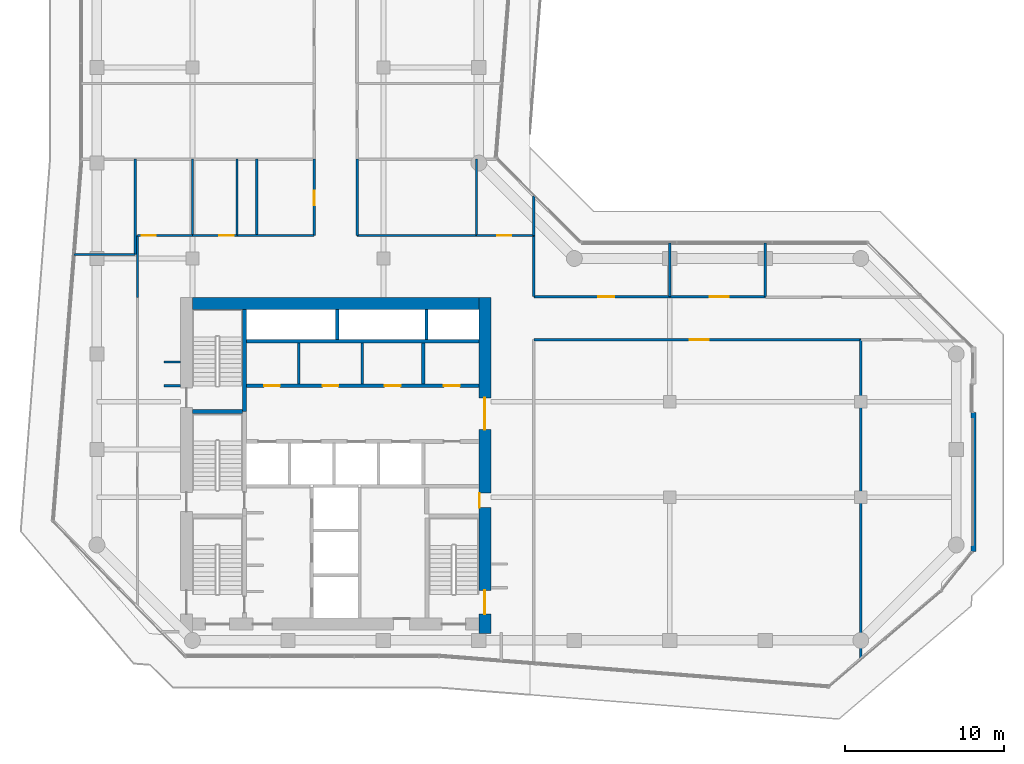
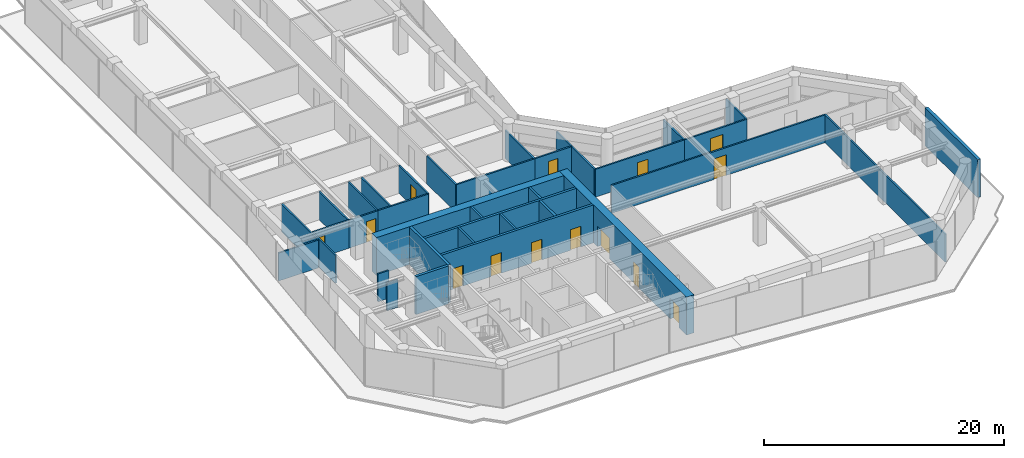
# One storey, part 21 of 24: 36 walls, 14 doors, 14 openings.
"""IFC4 building model written with IfcOpenShell, lengths in metres."""

from ifc_helpers import new_model, si_unit, direction, frame, frame_2d, origin, place, context, subcontext, project, spatial, rectangle, extrude, material, layer, layer_set, type_object, element, fill, save


model = new_model("IFC4")

# Units and contexts
model_context = context("Model", 3, precision=1e-05, world=origin(), true_north=direction((0.0, 1.0)))
body_context = subcontext(model_context, "Body", "Model", "MODEL_VIEW")
ifc_project = project(units=[si_unit("LENGTHUNIT", "METRE"), si_unit("AREAUNIT", "SQUARE_METRE"), si_unit("VOLUMEUNIT", "CUBIC_METRE"), si_unit("PLANEANGLEUNIT", "RADIAN"), si_unit("MASSUNIT", "GRAM", prefix="KILO")], contexts=[model_context])

# Site, building, storey
site_placement = place(None, origin())
site = spatial("IfcSite", under=ifc_project, at=site_placement, CompositionType="ELEMENT")
building_placement = place(site_placement, origin())
building = spatial("IfcBuilding", under=site, at=building_placement, Name="Welwitschia Terrace Campus", CompositionType="ELEMENT")
storey_placement = place(building_placement, frame((0.0, 0.0, 129.800048828125)))
storey = spatial("IfcBuildingStorey", under=building, at=storey_placement, Name="L29", CompositionType="ELEMENT", Elevation=129.800048828125)

# Walls
ifc_material_1 = material(Name="Concrete C32/40", Category="concrete")
ifc_layer_1 = layer(ifc_material_1, 0.175048828125)
ifc_layer_set_1 = layer_set([ifc_layer_1], Name="Concrete C32/40")
wall_type_1 = type_object("IfcWallType", Name="Core partition 175 Concrete C32/40", PredefinedType="PARTITIONING", material=ifc_layer_set_1)
for number, where, z_axis, x_axis, name in (
    (1, (12.675048828125, 20.10009765625, 0.0), (0.0, 0.0, 1.0), (0.0, 1.0, 0.0), "Core partition"),
    (2, (16.675048828125, 20.10009765625, 0.0), (0.0, 0.0, 1.0), (0.0, 1.0, 0.0), "Core partition"),
):
    element("IfcWall", number, at=place(storey_placement, frame(where, z_axis=z_axis, x_axis=x_axis)), inside=storey, type_object=wall_type_1, Name=name, PredefinedType="PARTITIONING", context=body_context, shape_type="SweptSolid", body=[
        extrude(rectangle(XDim=2.599853515625, YDim=0.175048828125, at=frame_2d((1.2998046875, 0.0))), origin(), (0.0, 0.0, 1.0), 3.849853515625),
    ])

# Wall, openings, doors
ifc_material_2 = material(Name="Concrete C32/40", Category="concrete")
ifc_layer_2 = layer(ifc_material_2, 0.22509765625)
ifc_layer_set_2 = layer_set([ifc_layer_2], Name="Concrete C32/40")
wall_type_2 = type_object("IfcWallType", Name="Core partition 225 Concrete C32/40", PredefinedType="PARTITIONING", material=ifc_layer_set_2)
wall_1_placement = place(storey_placement, frame((24.0, 20.0, 0.0), z_axis=(0.0, 0.0, 1.0), x_axis=(-1.0, 0.0, 0.0)))
wall_1 = element("IfcWall", 3, at=wall_1_placement, inside=storey, type_object=wall_type_2, Name="Core partition", PredefinedType="PARTITIONING", context=body_context, shape_type="SweptSolid", body=[
    extrude(rectangle(XDim=14.60009765625, YDim=0.22509765625, at=frame_2d((7.300048828125, 0.0))), origin(), (0.0, 0.0, 1.0), 3.849853515625),
])
opening_1_placement = place(wall_1_placement, frame((12.5, 0.0, 0.0)))
opening_1 = element("IfcOpeningElement", 4, at=opening_1_placement, cuts=wall_1, Name="Opening DR10", PredefinedType="OPENING", context=body_context, shape_type="SweptSolid", body=[
    extrude(rectangle(XDim=1.0, YDim=2.10009765625, at=frame_2d((0.5, 1.050048828125))), frame((0.0, 0.12255859375, 0.0), z_axis=(0.0, -1.0, 0.0), x_axis=(1.0, 0.0, 0.0)), (0.0, 0.0, 1.0), 0.2451171875),
])
opening_2_placement = place(wall_1_placement, frame((8.824951171875, 0.0, 0.0)))
opening_2 = element("IfcOpeningElement", 5, at=opening_2_placement, cuts=wall_1, Name="Opening DR10", PredefinedType="OPENING", context=body_context, shape_type="SweptSolid", body=[
    extrude(rectangle(XDim=1.0, YDim=2.10009765625, at=frame_2d((0.5, 1.050048828125))), frame((0.0, 0.12255859375, 0.0), z_axis=(0.0, -1.0, 0.0), x_axis=(1.0, 0.0, 0.0)), (0.0, 0.0, 1.0), 0.2451171875),
])
opening_3_placement = place(wall_1_placement, frame((4.925048828125, 0.0, 0.0)))
opening_3 = element("IfcOpeningElement", 6, at=opening_3_placement, cuts=wall_1, Name="Opening DR10", PredefinedType="OPENING", context=body_context, shape_type="SweptSolid", body=[
    extrude(rectangle(XDim=1.0, YDim=2.10009765625, at=frame_2d((0.5, 1.050048828125))), frame((0.0, 0.12255859375, 0.0), z_axis=(0.0, -1.0, 0.0), x_axis=(1.0, 0.0, 0.0)), (0.0, 0.0, 1.0), 0.2451171875),
])
opening_4_placement = place(wall_1_placement, frame((1.199951171875, 0.0, 0.0)))
opening_4 = element("IfcOpeningElement", 7, at=opening_4_placement, cuts=wall_1, Name="Opening DR10", PredefinedType="OPENING", context=body_context, shape_type="SweptSolid", body=[
    extrude(rectangle(XDim=1.0, YDim=2.10009765625, at=frame_2d((0.5, 1.050048828125))), frame((0.0, 0.12255859375, 0.0), z_axis=(0.0, -1.0, 0.0), x_axis=(1.0, 0.0, 0.0)), (0.0, 0.0, 1.0), 0.2451171875),
])
ifc_material_3 = material(Name="Steel S275", Category="steel")
door_type_1 = type_object("IfcDoorType", Name="Core door DR10", OperationType="SINGLE_SWING_LEFT", PredefinedType="DOOR", material=ifc_material_3)
door_1_placement = place(opening_1_placement, origin())
door_1 = element("IfcDoor", 8, at=door_1_placement, inside=storey, type_object=door_type_1, Name="Door BAYH1-D", OperationType="SINGLE_SWING_RIGHT", OverallHeight=2.10009765625, OverallWidth=1.0, PredefinedType="DOOR", context=body_context, shape_type="SweptSolid", body=[
    extrude(rectangle(XDim=1.0, YDim=2.10009765625, at=frame_2d((0.5, 1.050048828125))), frame((0.0, 0.02490234375, 0.0), z_axis=(0.0, -1.0, 0.0), x_axis=(1.0, 0.0, 0.0)), (0.0, 0.0, 1.0), 0.050048828125),
])
fill(opening_1, door_1)
door_2_placement = place(opening_2_placement, origin())
door_2 = element("IfcDoor", 9, at=door_2_placement, inside=storey, type_object=door_type_1, Name="Door BAYH2-D", OperationType="SINGLE_SWING_RIGHT", OverallHeight=2.10009765625, OverallWidth=1.0, PredefinedType="DOOR", context=body_context, shape_type="SweptSolid", body=[
    extrude(rectangle(XDim=1.0, YDim=2.10009765625, at=frame_2d((0.5, 1.050048828125))), frame((0.0, 0.02490234375, 0.0), z_axis=(0.0, -1.0, 0.0), x_axis=(1.0, 0.0, 0.0)), (0.0, 0.0, 1.0), 0.050048828125),
])
fill(opening_2, door_2)
door_3_placement = place(opening_3_placement, origin())
door_3 = element("IfcDoor", 10, at=door_3_placement, inside=storey, type_object=door_type_1, Name="Door BAYH3-D", OperationType="SINGLE_SWING_LEFT", OverallHeight=2.10009765625, OverallWidth=1.0, PredefinedType="DOOR", context=body_context, shape_type="SweptSolid", body=[
    extrude(rectangle(XDim=1.0, YDim=2.10009765625, at=frame_2d((0.5, 1.050048828125))), frame((0.0, 0.02490234375, 0.0), z_axis=(0.0, -1.0, 0.0), x_axis=(1.0, 0.0, 0.0)), (0.0, 0.0, 1.0), 0.050048828125),
])
fill(opening_3, door_3)
door_4_placement = place(opening_4_placement, origin())
door_4 = element("IfcDoor", 11, at=door_4_placement, inside=storey, type_object=door_type_1, Name="Door EH-D", OperationType="SINGLE_SWING_LEFT", OverallHeight=2.10009765625, OverallWidth=1.0, PredefinedType="DOOR", context=body_context, shape_type="SweptSolid", body=[
    extrude(rectangle(XDim=1.0, YDim=2.10009765625, at=frame_2d((0.5, 1.050048828125))), frame((0.0, 0.02490234375, 0.0), z_axis=(0.0, -1.0, 0.0), x_axis=(1.0, 0.0, 0.0)), (0.0, 0.0, 1.0), 0.050048828125),
])
fill(opening_4, door_4)

# Walls
wall_2_placement = place(storey_placement, frame((9.39990234375, 22.800048828125, 0.0), z_axis=(0.0, 0.0, 1.0), x_axis=(1.0, 0.0, 0.0)))
element("IfcWall", 12, at=wall_2_placement, inside=storey, type_object=wall_type_2, Name="Shaft wall", PredefinedType="PARTITIONING", context=body_context, shape_type="SweptSolid", body=[
    extrude(rectangle(XDim=14.60009765625, YDim=0.22509765625, at=frame_2d((7.300048828125, 0.0))), origin(), (0.0, 0.0, 1.0), 3.849853515625),
])
wall_3_placement = place(storey_placement, frame((20.5, 20.10009765625, 0.0), z_axis=(0.0, 0.0, 1.0), x_axis=(0.0, 1.0, 0.0)))
element("IfcWall", 13, at=wall_3_placement, inside=storey, type_object=wall_type_2, Name="Core partition", PredefinedType="PARTITIONING", context=body_context, shape_type="SweptSolid", body=[
    extrude(rectangle(XDim=2.599853515625, YDim=0.22509765625, at=frame_2d((1.2998046875, 0.0))), origin(), (0.0, 0.0, 1.0), 3.849853515625),
])
ifc_material_4 = material(Name="Concrete C50/60", Category="concrete")
ifc_layer_3 = layer(ifc_material_4, 0.199951171875)
ifc_layer_set_3 = layer_set([ifc_layer_3], Name="Concrete C50/60")
wall_type_3 = type_object("IfcWallType", Name="Core wall 200 Concrete C50/60", PredefinedType="SHEAR", material=ifc_layer_set_3)
for number, where, z_axis, x_axis, name in (
    (14, (15.10009765625, 22.89990234375, 0.0), (0.0, 0.0, 1.0), (0.0, 1.0, 0.0), "Core wall"),
    (15, (20.699951171875, 22.89990234375, 0.0), (0.0, 0.0, 1.0), (0.0, 1.0, 0.0), "Core wall"),
):
    element("IfcWall", number, at=place(storey_placement, frame(where, z_axis=z_axis, x_axis=x_axis)), inside=storey, type_object=wall_type_3, Name=name, PredefinedType="SHEAR", context=body_context, shape_type="SweptSolid", body=[
        extrude(rectangle(XDim=1.900146484375, YDim=0.199951171875, at=frame_2d((0.9501953125, 0.0))), origin(), (0.0, 0.0, 1.0), 3.849853515625),
    ])
ifc_material_5 = material(Name="Concrete C50/60", Category="concrete")
ifc_layer_4 = layer(ifc_material_5, 0.25)
ifc_layer_set_4 = layer_set([ifc_layer_4], Name="Concrete C50/60")
wall_type_4 = type_object("IfcWallType", Name="Core wall 250 Concrete C50/60", PredefinedType="SHEAR", material=ifc_layer_set_4)
wall_4_placement = place(storey_placement, frame((6.0, 18.375, 0.0), z_axis=(0.0, 0.0, 1.0), x_axis=(1.0, 0.0, 0.0)))
element("IfcWall", 16, at=wall_4_placement, inside=storey, type_object=wall_type_4, Name="Core wall", PredefinedType="SHEAR", context=body_context, shape_type="SweptSolid", body=[
    extrude(rectangle(XDim=3.14990234375, YDim=0.25, at=frame_2d((1.574951171875, 0.0))), origin(), (0.0, 0.0, 1.0), 3.849853515625),
])
wall_5_placement = place(storey_placement, frame((9.27490234375, 18.375, 0.0), z_axis=(0.0, 0.0, 1.0), x_axis=(0.0, 1.0, 0.0)))
element("IfcWall", 17, at=wall_5_placement, inside=storey, type_object=wall_type_4, Name="Core wall", PredefinedType="SHEAR", context=body_context, shape_type="SweptSolid", body=[
    extrude(rectangle(XDim=6.425048828125, YDim=0.25, at=frame_2d((3.21240234375, 0.0))), origin(), (0.0, 0.0, 1.0), 3.849853515625),
])

# Wall, openings, doors
ifc_material_6 = material(Name="Concrete C70/85", Category="concrete")
ifc_layer_5 = layer(ifc_material_6, 0.75)
ifc_layer_set_5 = layer_set([ifc_layer_5], Name="Concrete C70/85")
wall_type_5 = type_object("IfcWallType", Name="Core wall 750 Concrete C70/85", PredefinedType="SHEAR", material=ifc_layer_set_5)
wall_6_placement = place(storey_placement, frame((24.375, 25.550048828125, 0.0), z_axis=(0.0, 0.0, 1.0), x_axis=(0.0, -1.0, 0.0)))
wall_6 = element("IfcWall", 18, at=wall_6_placement, inside=storey, type_object=wall_type_5, Name="Core outer wall", PredefinedType="SHEAR", context=body_context, shape_type="SweptSolid", body=[
    extrude(rectangle(XDim=21.130126953125, YDim=0.75, at=frame_2d((10.56494140625, 0.0))), origin(), (0.0, 0.0, 1.0), 3.849853515625),
])
opening_5_placement = place(wall_6_placement, frame((18.39990234375, 0.0, 0.0)))
opening_5 = element("IfcOpeningElement", 19, at=opening_5_placement, cuts=wall_6, Name="Opening DS15", PredefinedType="OPENING", context=body_context, shape_type="SweptSolid", body=[
    extrude(rectangle(XDim=1.5, YDim=2.10009765625, at=frame_2d((0.75, 1.050048828125))), frame((0.0, 0.385009765625, 0.0), z_axis=(0.0, -1.0, 0.0), x_axis=(1.0, 0.0, 0.0)), (0.0, 0.0, 1.0), 0.77001953125),
])
opening_6_placement = place(wall_6_placement, frame((12.300048828125, 0.0, 0.0)))
opening_6 = element("IfcOpeningElement", 20, at=opening_6_placement, cuts=wall_6, Name="Opening DR09", PredefinedType="OPENING", context=body_context, shape_type="SweptSolid", body=[
    extrude(rectangle(XDim=0.89990234375, YDim=2.10009765625, at=frame_2d((0.449951171875, 1.050048828125))), frame((0.0, 0.385009765625, 0.0), z_axis=(0.0, -1.0, 0.0), x_axis=(1.0, 0.0, 0.0)), (0.0, 0.0, 1.0), 0.77001953125),
])
opening_7_placement = place(wall_6_placement, frame((6.300048828125, 0.0, 0.0)))
opening_7 = element("IfcOpeningElement", 21, at=opening_7_placement, cuts=wall_6, Name="Opening DL20", PredefinedType="OPENING", context=body_context, shape_type="SweptSolid", body=[
    extrude(rectangle(XDim=2.0, YDim=2.10009765625, at=frame_2d((1.0, 1.050048828125))), frame((0.0, 0.385009765625, 0.0), z_axis=(0.0, -1.0, 0.0), x_axis=(1.0, 0.0, 0.0)), (0.0, 0.0, 1.0), 0.77001953125),
])
ifc_material_7 = material(Name="Steel S275", Category="steel")
door_type_2 = type_object("IfcDoorType", Name="Core door DL20", OperationType="DOUBLE_DOOR_SINGLE_SWING", PredefinedType="DOOR", material=ifc_material_7)
door_5_placement = place(opening_7_placement, origin())
door_5 = element("IfcDoor", 22, at=door_5_placement, inside=storey, type_object=door_type_2, Name="Door LOBBY-out", OperationType="DOUBLE_DOOR_SINGLE_SWING", OverallHeight=2.10009765625, OverallWidth=2.0, PredefinedType="DOOR", context=body_context, shape_type="SweptSolid", body=[
    extrude(rectangle(XDim=2.0, YDim=2.10009765625, at=frame_2d((1.0, 1.050048828125))), frame((0.0, 0.02490234375, 0.0), z_axis=(0.0, -1.0, 0.0), x_axis=(1.0, 0.0, 0.0)), (0.0, 0.0, 1.0), 0.050048828125),
])
fill(opening_7, door_5)
ifc_material_8 = material(Name="Steel S275", Category="steel")
door_type_3 = type_object("IfcDoorType", Name="Core door DR09", OperationType="SINGLE_SWING_LEFT", PredefinedType="DOOR", material=ifc_material_8)
door_6_placement = place(opening_6_placement, origin())
door_6 = element("IfcDoor", 23, at=door_6_placement, inside=storey, type_object=door_type_3, Name="Door F1B-out", OperationType="SINGLE_SWING_RIGHT", OverallHeight=2.10009765625, OverallWidth=0.89990234375, PredefinedType="DOOR", context=body_context, shape_type="SweptSolid", body=[
    extrude(rectangle(XDim=0.89990234375, YDim=2.10009765625, at=frame_2d((0.449951171875, 1.050048828125))), frame((0.0, -0.31494140625, 0.0), z_axis=(0.0, -1.0, 0.0), x_axis=(1.0, 0.0, 0.0)), (0.0, 0.0, 1.0), 0.050048828125),
])
fill(opening_6, door_6)
ifc_material_9 = material(Name="Steel S275", Category="steel")
door_type_4 = type_object("IfcDoorType", Name="Core door DS15", OperationType="DOUBLE_DOOR_SINGLE_SWING", PredefinedType="DOOR", material=ifc_material_9)
door_7_placement = place(opening_5_placement, origin())
door_7 = element("IfcDoor", 24, at=door_7_placement, inside=storey, type_object=door_type_4, Name="Door S2-out", OperationType="DOUBLE_DOOR_SINGLE_SWING", OverallHeight=2.10009765625, OverallWidth=1.5, PredefinedType="DOOR", context=body_context, shape_type="SweptSolid", body=[
    extrude(rectangle(XDim=1.5, YDim=2.10009765625, at=frame_2d((0.75, 1.050048828125))), frame((0.0, 0.02490234375, 0.0), z_axis=(0.0, -1.0, 0.0), x_axis=(1.0, 0.0, 0.0)), (0.0, 0.0, 1.0), 0.050048828125),
])
fill(opening_5, door_7)

# Walls
wall_7_placement = place(storey_placement, frame((6.0, 25.175048828125, 0.0), z_axis=(0.0, 0.0, 1.0), x_axis=(1.0, 0.0, 0.0)))
element("IfcWall", 25, at=wall_7_placement, inside=storey, type_object=wall_type_5, Name="Core outer wall", PredefinedType="SHEAR", context=body_context, shape_type="SweptSolid", body=[
    extrude(rectangle(XDim=18.0, YDim=0.75, at=frame_2d((9.0, 0.0))), origin(), (0.0, 0.0, 1.0), 3.849853515625),
])
ifc_material_10 = material(Name="Gypsum board on steel studs", Category="steel")
ifc_layer_6 = layer(ifc_material_10, 0.14990234375)
ifc_layer_set_6 = layer_set([ifc_layer_6], Name="Gypsum board on steel studs")
wall_type_6 = type_object("IfcWallType", Name="Corridor partition 150 EI 30", PredefinedType="PARTITIONING", material=ifc_layer_set_6)
wall_8_placement = place(storey_placement, frame((-1.43994140625, 28.25, 0.0), z_axis=(0.0, 0.0, 1.0), x_axis=(1.0, 0.0, 0.0)))
element("IfcWall", 26, at=wall_8_placement, inside=storey, type_object=wall_type_6, Name="Partition", PredefinedType="PARTITIONING", context=body_context, shape_type="SweptSolid", body=[
    extrude(rectangle(XDim=3.83984375, YDim=0.14990234375, at=frame_2d((1.919921875, 0.0))), origin(), (0.0, 0.0, 1.0), 2.829833984375),
])
wall_9_placement = place(storey_placement, frame((2.39990234375, 28.25, 0.0), z_axis=(0.0, 0.0, 1.0), x_axis=(0.0, 1.0, 0.0)))
element("IfcWall", 27, at=wall_9_placement, inside=storey, type_object=wall_type_6, Name="Partition", PredefinedType="PARTITIONING", context=body_context, shape_type="SweptSolid", body=[
    extrude(rectangle(XDim=6.0, YDim=0.14990234375, at=frame_2d((3.0, 0.0))), origin(), (0.0, 0.0, 1.0), 2.829833984375),
])
wall_10_placement = place(storey_placement, frame((2.550048828125, 25.550048828125, 0.0), z_axis=(0.0, 0.0, 1.0), x_axis=(0.0, 1.0, 0.0)))
element("IfcWall", 28, at=wall_10_placement, inside=storey, type_object=wall_type_6, Name="Partition", PredefinedType="PARTITIONING", context=body_context, shape_type="SweptSolid", body=[
    extrude(rectangle(XDim=3.89990234375, YDim=0.14990234375, at=frame_2d((1.949951171875, 0.0))), origin(), (0.0, 0.0, 1.0), 2.829833984375),
])

# Wall, opening, door
wall_11_placement = place(storey_placement, frame((2.550048828125, 29.449951171875, 0.0), z_axis=(0.0, 0.0, 1.0), x_axis=(1.0, 0.0, 0.0)))
wall_11 = element("IfcWall", 29, at=wall_11_placement, inside=storey, type_object=wall_type_6, Name="Partition", PredefinedType="PARTITIONING", context=body_context, shape_type="SweptSolid", body=[
    extrude(rectangle(XDim=3.449951171875, YDim=0.14990234375, at=frame_2d((1.72509765625, 0.0))), origin(), (0.0, 0.0, 1.0), 2.829833984375),
])
opening_8_placement = place(wall_11_placement, frame((0.25, 0.0, 0.0)))
opening_8 = element("IfcOpeningElement", 30, at=opening_8_placement, cuts=wall_11, Name="Opening DI09", PredefinedType="OPENING", context=body_context, shape_type="SweptSolid", body=[
    extrude(rectangle(XDim=0.89990234375, YDim=2.10009765625, at=frame_2d((0.449951171875, 1.050048828125))), frame((0.0, 0.0849609375, 0.0), z_axis=(0.0, -1.0, 0.0), x_axis=(1.0, 0.0, 0.0)), (0.0, 0.0, 1.0), 0.169921875),
])
ifc_material_11 = material(Name="Timber veneered door", Category="wood")
door_type_5 = type_object("IfcDoorType", Name="Interior door DI09", OperationType="NOTDEFINED", PredefinedType="DOOR", material=ifc_material_11)
door_8_placement = place(opening_8_placement, origin())
door_8 = element("IfcDoor", 31, at=door_8_placement, inside=storey, type_object=door_type_5, Name="Door L29 618", OperationType="SINGLE_SWING_LEFT", OverallHeight=2.10009765625, OverallWidth=0.89990234375, PredefinedType="DOOR", context=body_context, shape_type="SweptSolid", body=[
    extrude(rectangle(XDim=0.89990234375, YDim=2.10009765625, at=frame_2d((0.449951171875, 1.050048828125))), frame((0.0, 0.02490234375, 0.0), z_axis=(0.0, -1.0, 0.0), x_axis=(1.0, 0.0, 0.0)), (0.0, 0.0, 1.0), 0.050048828125),
])
fill(opening_8, door_8)

# Walls
for number, where, z_axis, x_axis, name in (
    (32, (4.199951171875, 20.0, 0.0), (0.0, 0.0, 1.0), (1.0, 0.0, 0.0), "Partition"),
    (33, (4.199951171875, 21.5, 0.0), (0.0, 0.0, 1.0), (1.0, 0.0, 0.0), "Partition"),
):
    element("IfcWall", number, at=place(storey_placement, frame(where, z_axis=z_axis, x_axis=x_axis)), inside=storey, type_object=wall_type_6, Name=name, PredefinedType="PARTITIONING", context=body_context, shape_type="SweptSolid", body=[
        extrude(rectangle(XDim=1.050048828125, YDim=0.14990234375, at=frame_2d((0.52490234375, 0.0))), origin(), (0.0, 0.0, 1.0), 2.829833984375),
    ])
wall_12_placement = place(storey_placement, frame((6.0, 29.449951171875, 0.0), z_axis=(0.0, 0.0, 1.0), x_axis=(0.0, 1.0, 0.0)))
element("IfcWall", 34, at=wall_12_placement, inside=storey, type_object=wall_type_6, Name="Partition", PredefinedType="PARTITIONING", context=body_context, shape_type="SweptSolid", body=[
    extrude(rectangle(XDim=4.800048828125, YDim=0.14990234375, at=frame_2d((2.39990234375, 0.0))), origin(), (0.0, 0.0, 1.0), 2.829833984375),
])

# Wall, opening, door
wall_13_placement = place(storey_placement, frame((6.0, 29.449951171875, 0.0), z_axis=(0.0, 0.0, 1.0), x_axis=(1.0, 0.0, 0.0)))
wall_13 = element("IfcWall", 35, at=wall_13_placement, inside=storey, type_object=wall_type_6, Name="Partition", PredefinedType="PARTITIONING", context=body_context, shape_type="SweptSolid", body=[
    extrude(rectangle(XDim=2.800048828125, YDim=0.14990234375, at=frame_2d((1.39990234375, 0.0))), origin(), (0.0, 0.0, 1.0), 2.829833984375),
])
opening_9_placement = place(wall_13_placement, frame((1.699951171875, 0.0, 0.0)))
opening_9 = element("IfcOpeningElement", 36, at=opening_9_placement, cuts=wall_13, Name="Opening DI09", PredefinedType="OPENING", context=body_context, shape_type="SweptSolid", body=[
    extrude(rectangle(XDim=0.89990234375, YDim=2.10009765625, at=frame_2d((0.449951171875, 1.050048828125))), frame((0.0, 0.0849609375, 0.0), z_axis=(0.0, -1.0, 0.0), x_axis=(1.0, 0.0, 0.0)), (0.0, 0.0, 1.0), 0.169921875),
])
door_9_placement = place(opening_9_placement, origin())
door_9 = element("IfcDoor", 37, at=door_9_placement, inside=storey, type_object=door_type_5, Name="Door L29 619", OperationType="SINGLE_SWING_RIGHT", OverallHeight=2.10009765625, OverallWidth=0.89990234375, PredefinedType="DOOR", context=body_context, shape_type="SweptSolid", body=[
    extrude(rectangle(XDim=0.89990234375, YDim=2.10009765625, at=frame_2d((0.449951171875, 1.050048828125))), frame((0.0, 0.02490234375, 0.0), z_axis=(0.0, -1.0, 0.0), x_axis=(1.0, 0.0, 0.0)), (0.0, 0.0, 1.0), 0.050048828125),
])
fill(opening_9, door_9)

# Walls
wall_14_placement = place(storey_placement, frame((8.800048828125, 29.449951171875, 0.0), z_axis=(0.0, 0.0, 1.0), x_axis=(0.0, 1.0, 0.0)))
element("IfcWall", 38, at=wall_14_placement, inside=storey, type_object=wall_type_6, Name="Partition", PredefinedType="PARTITIONING", context=body_context, shape_type="SweptSolid", body=[
    extrude(rectangle(XDim=4.800048828125, YDim=0.14990234375, at=frame_2d((2.39990234375, 0.0))), origin(), (0.0, 0.0, 1.0), 2.829833984375),
])
wall_15_placement = place(storey_placement, frame((8.800048828125, 29.449951171875, 0.0), z_axis=(0.0, 0.0, 1.0), x_axis=(1.0, 0.0, 0.0)))
element("IfcWall", 39, at=wall_15_placement, inside=storey, type_object=wall_type_6, Name="Partition", PredefinedType="PARTITIONING", context=body_context, shape_type="SweptSolid", body=[
    extrude(rectangle(XDim=4.849853515625, YDim=0.14990234375, at=frame_2d((2.4248046875, 0.0))), origin(), (0.0, 0.0, 1.0), 2.829833984375),
])
wall_16_placement = place(storey_placement, frame((10.050048828125, 29.449951171875, 0.0), z_axis=(0.0, 0.0, 1.0), x_axis=(0.0, 1.0, 0.0)))
element("IfcWall", 40, at=wall_16_placement, inside=storey, type_object=wall_type_6, Name="Partition", PredefinedType="PARTITIONING", context=body_context, shape_type="SweptSolid", body=[
    extrude(rectangle(XDim=4.800048828125, YDim=0.14990234375, at=frame_2d((2.39990234375, 0.0))), origin(), (0.0, 0.0, 1.0), 2.829833984375),
])

# Wall, opening, door
wall_17_placement = place(storey_placement, frame((13.64990234375, 29.449951171875, 0.0), z_axis=(0.0, 0.0, 1.0), x_axis=(0.0, 1.0, 0.0)))
wall_17 = element("IfcWall", 41, at=wall_17_placement, inside=storey, type_object=wall_type_6, Name="Partition", PredefinedType="PARTITIONING", context=body_context, shape_type="SweptSolid", body=[
    extrude(rectangle(XDim=4.800048828125, YDim=0.14990234375, at=frame_2d((2.39990234375, 0.0))), origin(), (0.0, 0.0, 1.0), 2.829833984375),
])
opening_10_placement = place(wall_17_placement, frame((1.89990234375, 0.0, 0.0)))
opening_10 = element("IfcOpeningElement", 42, at=opening_10_placement, cuts=wall_17, Name="Opening DI09", PredefinedType="OPENING", context=body_context, shape_type="SweptSolid", body=[
    extrude(rectangle(XDim=0.89990234375, YDim=2.10009765625, at=frame_2d((0.449951171875, 1.050048828125))), frame((0.0, 0.0849609375, 0.0), z_axis=(0.0, -1.0, 0.0), x_axis=(1.0, 0.0, 0.0)), (0.0, 0.0, 1.0), 0.169921875),
])
door_10_placement = place(opening_10_placement, origin())
door_10 = element("IfcDoor", 43, at=door_10_placement, inside=storey, type_object=door_type_5, Name="Door L29 620", OperationType="SINGLE_SWING_LEFT", OverallHeight=2.10009765625, OverallWidth=0.89990234375, PredefinedType="DOOR", context=body_context, shape_type="SweptSolid", body=[
    extrude(rectangle(XDim=0.89990234375, YDim=2.10009765625, at=frame_2d((0.449951171875, 1.050048828125))), frame((0.0, 0.02490234375, 0.0), z_axis=(0.0, -1.0, 0.0), x_axis=(1.0, 0.0, 0.0)), (0.0, 0.0, 1.0), 0.050048828125),
])
fill(opening_10, door_10)

# Walls
wall_18_placement = place(storey_placement, frame((16.35009765625, 29.449951171875, 0.0), z_axis=(0.0, 0.0, 1.0), x_axis=(0.0, 1.0, 0.0)))
element("IfcWall", 44, at=wall_18_placement, inside=storey, type_object=wall_type_6, Name="Partition", PredefinedType="PARTITIONING", context=body_context, shape_type="SweptSolid", body=[
    extrude(rectangle(XDim=4.800048828125, YDim=0.14990234375, at=frame_2d((2.39990234375, 0.0))), origin(), (0.0, 0.0, 1.0), 2.829833984375),
])
wall_19_placement = place(storey_placement, frame((16.35009765625, 29.449951171875, 0.0), z_axis=(0.0, 0.0, 1.0), x_axis=(1.0, 0.0, 0.0)))
element("IfcWall", 45, at=wall_19_placement, inside=storey, type_object=wall_type_6, Name="Partition", PredefinedType="PARTITIONING", context=body_context, shape_type="SweptSolid", body=[
    extrude(rectangle(XDim=7.5, YDim=0.14990234375, at=frame_2d((3.75, 0.0))), origin(), (0.0, 0.0, 1.0), 2.829833984375),
])
wall_20_placement = place(storey_placement, frame((23.85009765625, 29.449951171875, 0.0), z_axis=(0.0, 0.0, 1.0), x_axis=(0.0, 1.0, 0.0)))
element("IfcWall", 46, at=wall_20_placement, inside=storey, type_object=wall_type_6, Name="Partition", PredefinedType="PARTITIONING", context=body_context, shape_type="SweptSolid", body=[
    extrude(rectangle(XDim=4.800048828125, YDim=0.14990234375, at=frame_2d((2.39990234375, 0.0))), origin(), (0.0, 0.0, 1.0), 2.829833984375),
])

# Wall, opening, door
wall_21_placement = place(storey_placement, frame((23.85009765625, 29.449951171875, 0.0), z_axis=(0.0, 0.0, 1.0), x_axis=(1.0, 0.0, 0.0)))
wall_21 = element("IfcWall", 47, at=wall_21_placement, inside=storey, type_object=wall_type_6, Name="Partition", PredefinedType="PARTITIONING", context=body_context, shape_type="SweptSolid", body=[
    extrude(rectangle(XDim=3.599853515625, YDim=0.14990234375, at=frame_2d((1.7998046875, 0.0))), origin(), (0.0, 0.0, 1.0), 2.829833984375),
])
opening_11_placement = place(wall_21_placement, frame((1.300048828125, 0.0, 0.0)))
opening_11 = element("IfcOpeningElement", 48, at=opening_11_placement, cuts=wall_21, Name="Opening DI09", PredefinedType="OPENING", context=body_context, shape_type="SweptSolid", body=[
    extrude(rectangle(XDim=0.89990234375, YDim=2.10009765625, at=frame_2d((0.449951171875, 1.050048828125))), frame((0.0, 0.0849609375, 0.0), z_axis=(0.0, -1.0, 0.0), x_axis=(1.0, 0.0, 0.0)), (0.0, 0.0, 1.0), 0.169921875),
])
door_11_placement = place(opening_11_placement, origin())
door_11 = element("IfcDoor", 49, at=door_11_placement, inside=storey, type_object=door_type_5, Name="Door L29 628", OperationType="SINGLE_SWING_LEFT", OverallHeight=2.10009765625, OverallWidth=0.89990234375, PredefinedType="DOOR", context=body_context, shape_type="SweptSolid", body=[
    extrude(rectangle(XDim=0.89990234375, YDim=2.10009765625, at=frame_2d((0.449951171875, 1.050048828125))), frame((0.0, 0.02490234375, 0.0), z_axis=(0.0, -1.0, 0.0), x_axis=(1.0, 0.0, 0.0)), (0.0, 0.0, 1.0), 0.050048828125),
])
fill(opening_11, door_11)

# Wall
wall_22_placement = place(storey_placement, frame((27.449951171875, 25.60009765625, 0.0), z_axis=(0.0, 0.0, 1.0), x_axis=(0.0, 1.0, 0.0)))
element("IfcWall", 50, at=wall_22_placement, inside=storey, type_object=wall_type_6, Name="Partition", PredefinedType="PARTITIONING", context=body_context, shape_type="SweptSolid", body=[
    extrude(rectangle(XDim=3.849853515625, YDim=0.14990234375, at=frame_2d((1.9248046875, 0.0))), origin(), (0.0, 0.0, 1.0), 2.829833984375),
])

# Wall, opening, door
wall_23_placement = place(storey_placement, frame((27.449951171875, 25.60009765625, 0.0), z_axis=(0.0, 0.0, 1.0), x_axis=(1.0, 0.0, 0.0)))
wall_23 = element("IfcWall", 51, at=wall_23_placement, inside=storey, type_object=wall_type_6, Name="Partition", PredefinedType="PARTITIONING", context=body_context, shape_type="SweptSolid", body=[
    extrude(rectangle(XDim=8.550048828125, YDim=0.14990234375, at=frame_2d((4.27490234375, 0.0))), origin(), (0.0, 0.0, 1.0), 2.829833984375),
])
opening_12_placement = place(wall_23_placement, frame((4.050048828125, 0.0, 0.0)))
opening_12 = element("IfcOpeningElement", 52, at=opening_12_placement, cuts=wall_23, Name="Opening DI10", PredefinedType="OPENING", context=body_context, shape_type="SweptSolid", body=[
    extrude(rectangle(XDim=1.0, YDim=2.10009765625, at=frame_2d((0.5, 1.050048828125))), frame((0.0, 0.0849609375, 0.0), z_axis=(0.0, -1.0, 0.0), x_axis=(1.0, 0.0, 0.0)), (0.0, 0.0, 1.0), 0.169921875),
])
ifc_material_12 = material(Name="Timber veneered door", Category="wood")
door_type_6 = type_object("IfcDoorType", Name="Interior door DI10", OperationType="NOTDEFINED", PredefinedType="DOOR", material=ifc_material_12)
door_12_placement = place(opening_12_placement, origin())
door_12 = element("IfcDoor", 53, at=door_12_placement, inside=storey, type_object=door_type_6, Name="Door L29 629", OperationType="SINGLE_SWING_RIGHT", OverallHeight=2.10009765625, OverallWidth=1.0, PredefinedType="DOOR", context=body_context, shape_type="SweptSolid", body=[
    extrude(rectangle(XDim=1.0, YDim=2.10009765625, at=frame_2d((0.5, 1.050048828125))), frame((0.0, 0.02490234375, 0.0), z_axis=(0.0, -1.0, 0.0), x_axis=(1.0, 0.0, 0.0)), (0.0, 0.0, 1.0), 0.050048828125),
])
fill(opening_12, door_12)

# Walls
wall_24_placement = place(storey_placement, frame((27.449951171875, 29.449951171875, 0.0), z_axis=(0.0, 0.0, 1.0), x_axis=(0.0, 1.0, 0.0)))
element("IfcWall", 54, at=wall_24_placement, inside=storey, type_object=wall_type_6, Name="Partition", PredefinedType="PARTITIONING", context=body_context, shape_type="SweptSolid", body=[
    extrude(rectangle(XDim=2.489990234375, YDim=0.14990234375, at=frame_2d((1.2451171875, 0.0))), origin(), (0.0, 0.0, 1.0), 2.829833984375),
])
wall_25_placement = place(storey_placement, frame((36.0, 25.60009765625, 0.0), z_axis=(0.0, 0.0, 1.0), x_axis=(0.0, 1.0, 0.0)))
element("IfcWall", 55, at=wall_25_placement, inside=storey, type_object=wall_type_6, Name="Partition", PredefinedType="PARTITIONING", context=body_context, shape_type="SweptSolid", body=[
    extrude(rectangle(XDim=3.3798828125, YDim=0.14990234375, at=frame_2d((1.68994140625, 0.0))), origin(), (0.0, 0.0, 1.0), 2.829833984375),
])

# Wall, opening, door
wall_26_placement = place(storey_placement, frame((36.0, 25.60009765625, 0.0), z_axis=(0.0, 0.0, 1.0), x_axis=(1.0, 0.0, 0.0)))
wall_26 = element("IfcWall", 56, at=wall_26_placement, inside=storey, type_object=wall_type_6, Name="Partition", PredefinedType="PARTITIONING", context=body_context, shape_type="SweptSolid", body=[
    extrude(rectangle(XDim=6.0, YDim=0.14990234375, at=frame_2d((3.0, 0.0))), origin(), (0.0, 0.0, 1.0), 2.829833984375),
])
opening_13_placement = place(wall_26_placement, frame((2.5, 0.0, 0.0)))
opening_13 = element("IfcOpeningElement", 57, at=opening_13_placement, cuts=wall_26, Name="Opening DI12", PredefinedType="OPENING", context=body_context, shape_type="SweptSolid", body=[
    extrude(rectangle(XDim=1.199951171875, YDim=2.10009765625, at=frame_2d((0.60009765625, 1.050048828125))), frame((0.0, 0.0849609375, 0.0), z_axis=(0.0, -1.0, 0.0), x_axis=(1.0, 0.0, 0.0)), (0.0, 0.0, 1.0), 0.169921875),
])
ifc_material_13 = material(Name="Timber veneered door", Category="wood")
door_type_7 = type_object("IfcDoorType", Name="Interior door DI12", OperationType="NOTDEFINED", PredefinedType="DOOR", material=ifc_material_13)
door_13_placement = place(opening_13_placement, origin())
door_13 = element("IfcDoor", 58, at=door_13_placement, inside=storey, type_object=door_type_7, Name="Door L29 630", OperationType="SINGLE_SWING_LEFT", OverallHeight=2.10009765625, OverallWidth=1.199951171875, PredefinedType="DOOR", context=body_context, shape_type="SweptSolid", body=[
    extrude(rectangle(XDim=1.199951171875, YDim=2.10009765625, at=frame_2d((0.60009765625, 1.050048828125))), frame((0.0, 0.02490234375, 0.0), z_axis=(0.0, -1.0, 0.0), x_axis=(1.0, 0.0, 0.0)), (0.0, 0.0, 1.0), 0.050048828125),
])
fill(opening_13, door_13)

# Walls
wall_27_placement = place(storey_placement, frame((42.0, 25.60009765625, 0.0), z_axis=(0.0, 0.0, 1.0), x_axis=(0.0, 1.0, 0.0)))
element("IfcWall", 59, at=wall_27_placement, inside=storey, type_object=wall_type_6, Name="Partition", PredefinedType="PARTITIONING", context=body_context, shape_type="SweptSolid", body=[
    extrude(rectangle(XDim=3.3798828125, YDim=0.14990234375, at=frame_2d((1.68994140625, 0.0))), origin(), (0.0, 0.0, 1.0), 2.829833984375),
])
wall_28_placement = place(storey_placement, frame((48.0, 2.840087890625, 0.0), z_axis=(0.0, 0.0, 1.0), x_axis=(0.0, 1.0, 0.0)))
element("IfcWall", 60, at=wall_28_placement, inside=storey, type_object=wall_type_6, Name="Partition", PredefinedType="PARTITIONING", context=body_context, shape_type="SweptSolid", body=[
    extrude(rectangle(XDim=20.059814453125, YDim=0.14990234375, at=frame_2d((10.02978515625, 0.0))), origin(), (0.0, 0.0, 1.0), 2.829833984375),
])

# Wall, opening, door
wall_29_placement = place(storey_placement, frame((48.0, 22.89990234375, 0.0), z_axis=(0.0, 0.0, 1.0), x_axis=(-1.0, 0.0, 0.0)))
wall_29 = element("IfcWall", 61, at=wall_29_placement, inside=storey, type_object=wall_type_6, Name="Partition", PredefinedType="PARTITIONING", context=body_context, shape_type="SweptSolid", body=[
    extrude(rectangle(XDim=20.550048828125, YDim=0.14990234375, at=frame_2d((10.27490234375, 0.0))), origin(), (0.0, 0.0, 1.0), 2.829833984375),
])
opening_14_placement = place(wall_29_placement, frame((9.550048828125, 0.0, 0.0)))
opening_14 = element("IfcOpeningElement", 62, at=opening_14_placement, cuts=wall_29, Name="Opening DI12", PredefinedType="OPENING", context=body_context, shape_type="SweptSolid", body=[
    extrude(rectangle(XDim=1.199951171875, YDim=2.10009765625, at=frame_2d((0.60009765625, 1.050048828125))), frame((0.0, 0.0849609375, 0.0), z_axis=(0.0, -1.0, 0.0), x_axis=(1.0, 0.0, 0.0)), (0.0, 0.0, 1.0), 0.169921875),
])
door_14_placement = place(opening_14_placement, origin())
door_14 = element("IfcDoor", 63, at=door_14_placement, inside=storey, type_object=door_type_7, Name="Door L29 632", OperationType="SINGLE_SWING_LEFT", OverallHeight=2.10009765625, OverallWidth=1.199951171875, PredefinedType="DOOR", context=body_context, shape_type="SweptSolid", body=[
    extrude(rectangle(XDim=1.199951171875, YDim=2.10009765625, at=frame_2d((0.60009765625, 1.050048828125))), frame((0.0, 0.02490234375, 0.0), z_axis=(0.0, -1.0, 0.0), x_axis=(1.0, 0.0, 0.0)), (0.0, 0.0, 1.0), 0.050048828125),
])
fill(opening_14, door_14)

# Wall
ifc_material_14 = material(Name="Concrete C40/50", Category="concrete")
ifc_layer_7 = layer(ifc_material_14, 0.300048828125)
ifc_layer_set_7 = layer_set([ifc_layer_7], Name="Concrete C40/50")
wall_type_7 = type_object("IfcWallType", Name="Mass wall 300", PredefinedType="SOLIDWALL", material=ifc_layer_set_7)
wall_30_placement = place(storey_placement, frame((55.07958984375, 9.573486328125, 0.0), z_axis=(0.0, 0.0, 1.0), x_axis=(0.0, 1.0, 0.0)))
element("IfcWall", 64, at=wall_30_placement, inside=storey, type_object=wall_type_7, Name="Mass wall L29.6.0", PredefinedType="SOLIDWALL", context=body_context, shape_type="SweptSolid", body=[
    extrude(rectangle(XDim=8.73974609375, YDim=0.300048828125, at=frame_2d((4.369873046875, 0.0))), origin(), (0.0, 0.0, 1.0), 3.849853515625),
])

save(model, "model.ifc")
